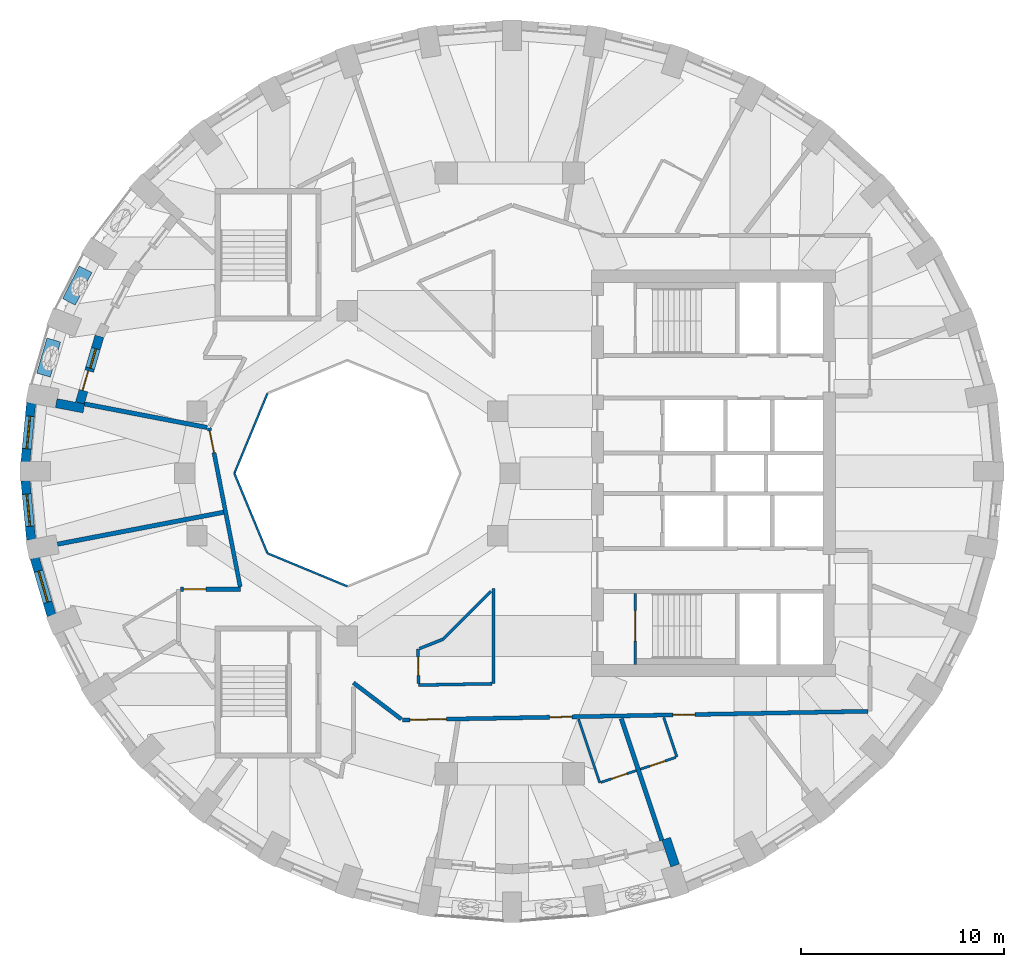
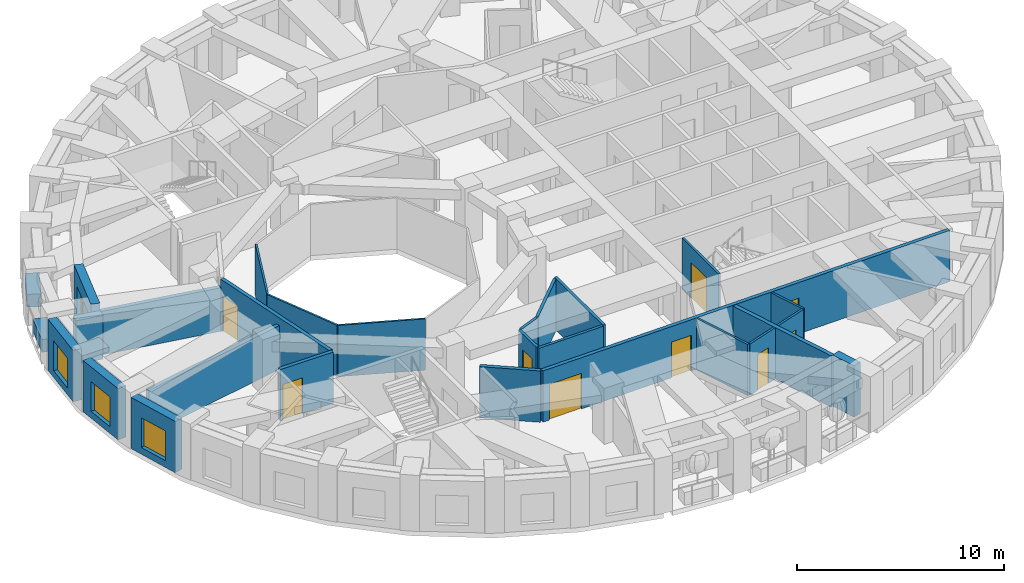
# One storey, part 4 of 11: 28 walls, 10 doors, 4 windows, 14 openings.
"""IFC4 building model written with IfcOpenShell, lengths in metres."""

from ifc_helpers import new_model, si_unit, direction, frame, frame_2d, origin, place, context, subcontext, project, spatial, rectangle, extrude, material, layer, layer_set, constituent, constituent_set, type_object, element, fill, save


model = new_model("IFC4")

# Units and contexts
model_context = context("Model", 3, precision=1e-05, world=origin(), true_north=direction((0.0, 1.0)))
body_context = subcontext(model_context, "Body", "Model", "MODEL_VIEW")
ifc_project = project(units=[si_unit("LENGTHUNIT", "METRE"), si_unit("AREAUNIT", "SQUARE_METRE"), si_unit("VOLUMEUNIT", "CUBIC_METRE"), si_unit("PLANEANGLEUNIT", "RADIAN"), si_unit("MASSUNIT", "GRAM", prefix="KILO")], contexts=[model_context])

# Site, building, storey
site_placement = place(None, origin())
site = spatial("IfcSite", under=ifc_project, at=site_placement, CompositionType="ELEMENT")
building_placement = place(site_placement, origin())
building = spatial("IfcBuilding", under=site, at=building_placement, Name="Taillehof Tower", CompositionType="ELEMENT")
storey_placement = place(building_placement, frame((0.0, 0.0, 155.0)))
storey = spatial("IfcBuildingStorey", under=building, at=storey_placement, Name="L43", CompositionType="ELEMENT", Elevation=155.0)

# Walls
ifc_material_1 = material(Name="Fire-resisting glass in steel frame", Category="steel")
ifc_layer_1 = layer(ifc_material_1, 0.10009765625)
ifc_layer_set_1 = layer_set([ifc_layer_1], Name="Atrium fire-resisting screen EI 60 100")
wall_type_1 = type_object("IfcWallType", Name="Atrium fire-resisting screen EI 60 100", PredefinedType="PARTITIONING", material=ifc_layer_set_1)
for number, where, z_axis, x_axis, name in (
    (1, (-8.0, -5.55419921875, 0.0), (0.0, 0.0, 1.0), (-0.923860025149, 0.382730523909, 0.0), "Atrium screen"),
    (2, (-11.92724609375, -3.92724609375, 0.0), (0.0, 0.0, 1.0), (-0.382730523909, 0.923860025149, 0.0), "Atrium screen"),
    (3, (-13.55419921875, 0.0, 0.0), (0.0, 0.0, 1.0), (0.382730523909, 0.923860025149, 0.0), "Atrium screen"),
):
    element("IfcWall", number, at=place(storey_placement, frame(where, z_axis=z_axis, x_axis=x_axis)), inside=storey, type_object=wall_type_1, Name=name, PredefinedType="PARTITIONING", context=body_context, shape_type="SweptSolid", body=[
        extrude(rectangle(XDim=4.2509765625, YDim=0.10009765625, at=frame_2d((2.12548828125, 0.0))), origin(), (0.0, 0.0, 1.0), 3.02001953125),
    ])

# Wall, opening, window
ifc_material_2 = material(Name="Brick masonry", Category="masonry")
ifc_layer_2 = layer(ifc_material_2, 0.449951171875)
ifc_layer_set_2 = layer_set([ifc_layer_2], Name="Brick infill wall 450")
wall_type_2 = type_object("IfcWallType", Name="Brick infill wall 450", PredefinedType="SOLIDWALL", material=ifc_layer_set_2)
wall_1_placement = place(storey_placement, frame((-23.5517578125, 3.468505859375, 0.0), z_axis=(0.0, 0.0, 1.0), x_axis=(-0.095265737322, -0.995451876935, 0.0)))
wall_1 = element("IfcWall", 4, at=wall_1_placement, inside=storey, type_object=wall_type_2, Name="Brick wall L43 bay 18", PredefinedType="SOLIDWALL", context=body_context, shape_type="SweptSolid", body=[
    extrude(rectangle(XDim=2.9267578125, YDim=0.449951171875, at=frame_2d((1.46337890625, 0.0))), origin(), (0.0, 0.0, 1.0), 3.02001953125),
])
opening_1_placement = place(wall_1_placement, frame((0.663330078125, 0.0, 0.39990234375)))
opening_1 = element("IfcOpeningElement", 5, at=opening_1_placement, cuts=wall_1, Name="Opening W3", PredefinedType="OPENING", context=body_context, shape_type="SweptSolid", body=[
    extrude(rectangle(XDim=1.60009765625, YDim=1.75, at=frame_2d((0.800048828125, 0.875))), frame((0.0, 0.23486328125, 0.0), z_axis=(0.0, -1.0, 0.0), x_axis=(1.0, 0.0, 0.0)), (0.0, 0.0, 1.0), 0.469970703125),
])
ifc_material_3 = material(Name="Aluminium window frame with clear double glazing", Category="aluminium")
window_type_1 = type_object("IfcWindowType", Name="Deep-set window 1600x1750", PartitioningType="SINGLE_PANEL", PredefinedType="WINDOW", material=ifc_material_3)
window_1_placement = place(opening_1_placement, origin())
window_1 = element("IfcWindow", 6, at=window_1_placement, inside=storey, type_object=window_type_1, Name="W3", OverallHeight=1.75, OverallWidth=1.60009765625, PartitioningType="SINGLE_PANEL", PredefinedType="WINDOW", context=body_context, shape_type="SweptSolid", body=[
    extrude(rectangle(XDim=1.60009765625, YDim=1.75, at=frame_2d((0.800048828125, 0.875))), frame((0.0, 0.034912109375, 0.0), z_axis=(0.0, -1.0, 0.0), x_axis=(1.0, 0.0, 0.0)), (0.0, 0.0, 1.0), 0.06005859375),
])
fill(opening_1, window_1)

wall_2_placement = place(storey_placement, frame((-23.83056640625, -0.35498046875, 0.0), z_axis=(0.0, 0.0, 1.0), x_axis=(0.095257827044, -0.995452633924, 0.0)))
wall_2 = element("IfcWall", 7, at=wall_2_placement, inside=storey, type_object=wall_type_2, Name="Brick wall L43 bay 19", PredefinedType="SOLIDWALL", context=body_context, shape_type="SweptSolid", body=[
    extrude(rectangle(XDim=2.927001953125, YDim=0.449951171875, at=frame_2d((1.46337890625, 0.0))), origin(), (0.0, 0.0, 1.0), 3.02001953125),
])
opening_2_placement = place(wall_2_placement, frame((0.663330078125, 0.0, 0.39990234375)))
opening_2 = element("IfcOpeningElement", 8, at=opening_2_placement, cuts=wall_2, Name="Opening W3", PredefinedType="OPENING", context=body_context, shape_type="SweptSolid", body=[
    extrude(rectangle(XDim=1.60009765625, YDim=1.75, at=frame_2d((0.800048828125, 0.875))), frame((0.0, 0.23486328125, 0.0), z_axis=(0.0, -1.0, 0.0), x_axis=(1.0, 0.0, 0.0)), (0.0, 0.0, 1.0), 0.469970703125),
])
window_2_placement = place(opening_2_placement, origin())
window_2 = element("IfcWindow", 9, at=window_2_placement, inside=storey, type_object=window_type_1, Name="W3", OverallHeight=1.75, OverallWidth=1.60009765625, PartitioningType="SINGLE_PANEL", PredefinedType="WINDOW", context=body_context, shape_type="SweptSolid", body=[
    extrude(rectangle(XDim=1.60009765625, YDim=1.75, at=frame_2d((0.800048828125, 0.875))), frame((0.0, 0.034912109375, 0.0), z_axis=(0.0, -1.0, 0.0), x_axis=(1.0, 0.0, 0.0)), (0.0, 0.0, 1.0), 0.06005859375),
])
fill(opening_2, window_2)

wall_3_placement = place(storey_placement, frame((-23.3798828125, -4.162353515625, 0.0), z_axis=(0.0, 0.0, 1.0), x_axis=(0.281125768296, -0.959670934435, 0.0)))
wall_3 = element("IfcWall", 10, at=wall_3_placement, inside=storey, type_object=wall_type_2, Name="Brick wall L43 bay 20", PredefinedType="SOLIDWALL", context=body_context, shape_type="SweptSolid", body=[
    extrude(rectangle(XDim=2.947509765625, YDim=0.449951171875, at=frame_2d((1.4736328125, 0.0))), origin(), (0.0, 0.0, 1.0), 3.02001953125),
])
opening_3_placement = place(wall_3_placement, frame((0.673583984375, 0.0, 0.39990234375)))
opening_3 = element("IfcOpeningElement", 11, at=opening_3_placement, cuts=wall_3, Name="Opening W3", PredefinedType="OPENING", context=body_context, shape_type="SweptSolid", body=[
    extrude(rectangle(XDim=1.60009765625, YDim=1.75, at=frame_2d((0.800048828125, 0.875))), frame((0.0, 0.23486328125, 0.0), z_axis=(0.0, -1.0, 0.0), x_axis=(1.0, 0.0, 0.0)), (0.0, 0.0, 1.0), 0.469970703125),
])
window_3_placement = place(opening_3_placement, origin())
window_3 = element("IfcWindow", 12, at=window_3_placement, inside=storey, type_object=window_type_1, Name="W3", OverallHeight=1.75, OverallWidth=1.60009765625, PartitioningType="SINGLE_PANEL", PredefinedType="WINDOW", context=body_context, shape_type="SweptSolid", body=[
    extrude(rectangle(XDim=1.60009765625, YDim=1.75, at=frame_2d((0.800048828125, 0.875))), frame((0.0, 0.034912109375, 0.0), z_axis=(0.0, -1.0, 0.0), x_axis=(1.0, 0.0, 0.0)), (0.0, 0.0, 1.0), 0.06005859375),
])
fill(opening_3, window_3)

# Walls
wall_4_placement = place(storey_placement, frame((8.12158203125, -19.286376953125, 0.0), z_axis=(0.0, 0.0, 1.0), x_axis=(-0.316649231286, 0.948542705589, 0.0)))
element("IfcWall", 13, at=wall_4_placement, inside=storey, type_object=wall_type_2, Name="Brick reveal L43 pocket 8", PredefinedType="SOLIDWALL", context=body_context, shape_type="SweptSolid", body=[
    extrude(rectangle(XDim=1.39013671875, YDim=0.449951171875, at=frame_2d((0.695068359375, 0.0))), origin(), (0.0, 0.0, 1.0), 3.02001953125),
])
wall_5_placement = place(storey_placement, frame((-22.321533203125, 3.45458984375, 0.0), z_axis=(0.0, 0.0, 1.0), x_axis=(0.982051513278, -0.188612897936, 0.0)))
element("IfcWall", 14, at=wall_5_placement, inside=storey, type_object=wall_type_2, Name="Brick reveal L43 pocket 4", PredefinedType="SOLIDWALL", context=body_context, shape_type="SweptSolid", body=[
    extrude(rectangle(XDim=1.39013671875, YDim=0.449951171875, at=frame_2d((0.695068359375, 0.0))), origin(), (0.0, 0.0, 1.0), 2.570068359375),
])

# Wall, openings, door, window
wall_6_placement = place(storey_placement, frame((-20.19384765625, 6.74462890625, 0.0), z_axis=(0.0, 0.0, 1.0), x_axis=(-0.280397139934, -0.959884078375, 0.0)))
wall_6 = element("IfcWall", 15, at=wall_6_placement, inside=storey, type_object=wall_type_2, Name="Brick wall L43 pocket bay 17", PredefinedType="SOLIDWALL", context=body_context, shape_type="SweptSolid", body=[
    extrude(rectangle(XDim=3.422607421875, YDim=0.449951171875, at=frame_2d((1.71142578125, 0.0))), origin(), (0.0, 0.0, 1.0), 3.02001953125),
])
opening_4_placement = place(wall_6_placement, frame((0.63623046875, 0.0, 0.39990234375)))
opening_4 = element("IfcOpeningElement", 16, at=opening_4_placement, cuts=wall_6, Name="Opening W5", PredefinedType="OPENING", context=body_context, shape_type="SweptSolid", body=[
    extrude(rectangle(XDim=1.0, YDim=1.75, at=frame_2d((0.5, 0.875))), frame((0.0, 0.23486328125, 0.0), z_axis=(0.0, -1.0, 0.0), x_axis=(1.0, 0.0, 0.0)), (0.0, 0.0, 1.0), 0.469970703125),
])
opening_5_placement = place(wall_6_placement, frame((1.786376953125, 0.0, 0.0)))
opening_5 = element("IfcOpeningElement", 17, at=opening_5_placement, cuts=wall_6, Name="Opening D4396", PredefinedType="OPENING", context=body_context, shape_type="SweptSolid", body=[
    extrude(rectangle(XDim=1.0, YDim=2.14990234375, at=frame_2d((0.5, 1.074951171875))), frame((0.0, 0.23486328125, 0.0), z_axis=(0.0, -1.0, 0.0), x_axis=(1.0, 0.0, 0.0)), (0.0, 0.0, 1.0), 0.469970703125),
])
ifc_material_4 = material(Name="Aluminium door frame with clear double glazing", Category="aluminium")
door_type_1 = type_object("IfcDoorType", Name="Balcony door 1000x2150", OperationType="SINGLE_SWING_RIGHT", PredefinedType="DOOR", material=ifc_material_4)
door_1_placement = place(opening_5_placement, frame((1.0, 0.0, 0.0), z_axis=(0.0, 0.0, 1.0), x_axis=(-1.0, 0.0, 0.0)))
door_1 = element("IfcDoor", 18, at=door_1_placement, inside=storey, type_object=door_type_1, Name="Balcony door L43 bay 17", OperationType="SINGLE_SWING_LEFT", OverallHeight=2.14990234375, OverallWidth=1.0, PredefinedType="DOOR", context=body_context, shape_type="SweptSolid", body=[
    extrude(rectangle(XDim=1.0, YDim=2.14990234375, at=frame_2d((0.5, 1.074951171875))), frame((0.0, 0.0751953125, 0.0), z_axis=(0.0, -1.0, 0.0), x_axis=(1.0, 0.0, 0.0)), (0.0, 0.0, 1.0), 0.050048828125),
])
fill(opening_5, door_1)
ifc_material_5 = material(Name="Aluminium window frame with clear double glazing", Category="aluminium")
window_type_2 = type_object("IfcWindowType", Name="Fixed window 1000x1750", PartitioningType="SINGLE_PANEL", PredefinedType="WINDOW", material=ifc_material_5)
window_4_placement = place(opening_4_placement, origin())
window_4 = element("IfcWindow", 19, at=window_4_placement, inside=storey, type_object=window_type_2, Name="W5", OverallHeight=1.75, OverallWidth=1.0, PartitioningType="SINGLE_PANEL", PredefinedType="WINDOW", context=body_context, shape_type="SweptSolid", body=[
    extrude(rectangle(XDim=1.0, YDim=1.75, at=frame_2d((0.5, 0.875))), frame((0.0, 0.034912109375, 0.0), z_axis=(0.0, -1.0, 0.0), x_axis=(1.0, 0.0, 0.0)), (0.0, 0.0, 1.0), 0.06005859375),
])
fill(opening_4, window_4)

# Wall, openings, doors
ifc_material_6 = material(Name="Gypsum board on steel studs, two layers each side", Category="steel")
ifc_layer_3 = layer(ifc_material_6, 0.199951171875)
ifc_layer_set_3 = layer_set([ifc_layer_3], Name="Compartment wall corridor 200")
wall_type_3 = type_object("IfcWallType", Name="Compartment wall corridor 200", PredefinedType="PARTITIONING", material=ifc_layer_set_3)
wall_7_placement = place(storey_placement, frame((17.599853515625, -11.702392578125, 0.0), z_axis=(0.0, 0.0, 1.0), x_axis=(-0.999825923551, -0.018658043723, 0.0)))
wall_7 = element("IfcWall", 20, at=wall_7_placement, inside=storey, type_object=wall_type_3, Name="Compartment wall", PredefinedType="PARTITIONING", context=body_context, shape_type="SweptSolid", body=[
    extrude(rectangle(XDim=22.898681640625, YDim=0.199951171875, at=frame_2d((11.44921875, 0.0))), origin(), (0.0, 0.0, 1.0), 3.02001953125),
])
opening_6_placement = place(wall_7_placement, frame((20.728759765625, 0.0, 0.0)))
opening_6 = element("IfcOpeningElement", 21, at=opening_6_placement, cuts=wall_7, Name="Opening D4351", PredefinedType="OPENING", context=body_context, shape_type="SweptSolid", body=[
    extrude(rectangle(XDim=1.800048828125, YDim=2.10009765625, at=frame_2d((0.89990234375, 1.050048828125))), frame((0.0, 0.10986328125, 0.0), z_axis=(0.0, -1.0, 0.0), x_axis=(1.0, 0.0, 0.0)), (0.0, 0.0, 1.0), 0.219970703125),
])
opening_7_placement = place(wall_7_placement, frame((14.55419921875, 0.0, 0.0)))
opening_7 = element("IfcOpeningElement", 22, at=opening_7_placement, cuts=wall_7, Name="Opening D4352", PredefinedType="OPENING", context=body_context, shape_type="SweptSolid", body=[
    extrude(rectangle(XDim=1.10009765625, YDim=2.10009765625, at=frame_2d((0.550048828125, 1.050048828125))), frame((0.0, 0.10986328125, 0.0), z_axis=(0.0, -1.0, 0.0), x_axis=(1.0, 0.0, 0.0)), (0.0, 0.0, 1.0), 0.219970703125),
])
opening_8_placement = place(wall_7_placement, frame((8.4912109375, 0.0, 0.0)))
opening_8 = element("IfcOpeningElement", 23, at=opening_8_placement, cuts=wall_7, Name="Opening D4354", PredefinedType="OPENING", context=body_context, shape_type="SweptSolid", body=[
    extrude(rectangle(XDim=1.10009765625, YDim=2.10009765625, at=frame_2d((0.550048828125, 1.050048828125))), frame((0.0, 0.10986328125, 0.0), z_axis=(0.0, -1.0, 0.0), x_axis=(1.0, 0.0, 0.0)), (0.0, 0.0, 1.0), 0.219970703125),
])
ifc_material_7 = material(Name="Timber door leaf in steel frame", Category="steel")
door_type_2 = type_object("IfcDoorType", Name="Lounge and meeting room double door EI 30 1800 x 2100", OperationType="SINGLE_SWING_LEFT", PredefinedType="DOOR", material=ifc_material_7)
door_2_placement = place(opening_6_placement, origin())
door_2 = element("IfcDoor", 24, at=door_2_placement, inside=storey, type_object=door_type_2, Name="D4351", OperationType="DOUBLE_DOOR_SINGLE_SWING", OverallHeight=2.10009765625, OverallWidth=1.800048828125, PredefinedType="DOOR", context=body_context, shape_type="SweptSolid", body=[
    extrude(rectangle(XDim=1.800048828125, YDim=2.10009765625, at=frame_2d((0.89990234375, 1.050048828125))), frame((0.0, 0.02490234375, 0.0), z_axis=(0.0, -1.0, 0.0), x_axis=(1.0, 0.0, 0.0)), (0.0, 0.0, 1.0), 0.050048828125),
])
fill(opening_6, door_2)
ifc_material_8 = material(Name="Timber door leaf in steel frame", Category="steel")
door_type_3 = type_object("IfcDoorType", Name="Suite entrance door EI 30 1100 x 2100", OperationType="SINGLE_SWING_LEFT", PredefinedType="DOOR", material=ifc_material_8)
door_3_placement = place(opening_7_placement, origin())
door_3 = element("IfcDoor", 25, at=door_3_placement, inside=storey, type_object=door_type_3, Name="D4352", OperationType="SINGLE_SWING_LEFT", OverallHeight=2.10009765625, OverallWidth=1.10009765625, PredefinedType="DOOR", context=body_context, shape_type="SweptSolid", body=[
    extrude(rectangle(XDim=1.10009765625, YDim=2.10009765625, at=frame_2d((0.550048828125, 1.050048828125))), frame((0.0, 0.02490234375, 0.0), z_axis=(0.0, -1.0, 0.0), x_axis=(1.0, 0.0, 0.0)), (0.0, 0.0, 1.0), 0.050048828125),
])
fill(opening_7, door_3)
door_4_placement = place(opening_8_placement, origin())
door_4 = element("IfcDoor", 26, at=door_4_placement, inside=storey, type_object=door_type_3, Name="D4354", OperationType="SINGLE_SWING_RIGHT", OverallHeight=2.10009765625, OverallWidth=1.10009765625, PredefinedType="DOOR", context=body_context, shape_type="SweptSolid", body=[
    extrude(rectangle(XDim=1.10009765625, YDim=2.10009765625, at=frame_2d((0.550048828125, 1.050048828125))), frame((0.0, 0.02490234375, 0.0), z_axis=(0.0, -1.0, 0.0), x_axis=(1.0, 0.0, 0.0)), (0.0, 0.0, 1.0), 0.050048828125),
])
fill(opening_8, door_4)

# Wall
wall_8_placement = place(storey_placement, frame((-5.342529296875, -12.093017578125, 0.0), z_axis=(0.0, 0.0, 1.0), x_axis=(-0.796104996328, 0.605158520407, 0.0)))
element("IfcWall", 27, at=wall_8_placement, inside=storey, type_object=wall_type_3, Name="Compartment wall", PredefinedType="PARTITIONING", context=body_context, shape_type="SweptSolid", body=[
    extrude(rectangle(XDim=2.961181640625, YDim=0.199951171875, at=frame_2d((1.48046875, 0.0))), origin(), (0.0, 0.0, 1.0), 3.02001953125),
])

# Wall, opening, door
wall_9_placement = place(storey_placement, frame((-16.199951171875, -5.699951171875, 0.0), z_axis=(0.0, 0.0, 1.0), x_axis=(1.0, 0.0, 0.0)))
wall_9 = element("IfcWall", 28, at=wall_9_placement, inside=storey, type_object=wall_type_3, Name="Compartment wall", PredefinedType="PARTITIONING", context=body_context, shape_type="SweptSolid", body=[
    extrude(rectangle(XDim=2.955322265625, YDim=0.199951171875, at=frame_2d((1.4775390625, 0.0))), origin(), (0.0, 0.0, 1.0), 3.02001953125),
])
opening_9_placement = place(wall_9_placement, frame((0.139892578125, 0.0, 0.0)))
opening_9 = element("IfcOpeningElement", 29, at=opening_9_placement, cuts=wall_9, Name="Opening D4348", PredefinedType="OPENING", context=body_context, shape_type="SweptSolid", body=[
    extrude(rectangle(XDim=1.10009765625, YDim=2.10009765625, at=frame_2d((0.550048828125, 1.050048828125))), frame((0.0, 0.10986328125, 0.0), z_axis=(0.0, -1.0, 0.0), x_axis=(1.0, 0.0, 0.0)), (0.0, 0.0, 1.0), 0.219970703125),
])
door_5_placement = place(opening_9_placement, origin())
door_5 = element("IfcDoor", 30, at=door_5_placement, inside=storey, type_object=door_type_3, Name="D4348", OperationType="SINGLE_SWING_RIGHT", OverallHeight=2.10009765625, OverallWidth=1.10009765625, PredefinedType="DOOR", context=body_context, shape_type="SweptSolid", body=[
    extrude(rectangle(XDim=1.10009765625, YDim=2.10009765625, at=frame_2d((0.550048828125, 1.050048828125))), frame((0.0, 0.02490234375, 0.0), z_axis=(0.0, -1.0, 0.0), x_axis=(1.0, 0.0, 0.0)), (0.0, 0.0, 1.0), 0.050048828125),
])
fill(opening_9, door_5)

wall_10_placement = place(storey_placement, frame((-13.26806640625, -5.582763671875, 0.0), z_axis=(0.0, 0.0, 1.0), x_axis=(-0.191747927029, 0.981444207523, 0.0)))
wall_10 = element("IfcWall", 31, at=wall_10_placement, inside=storey, type_object=wall_type_3, Name="Compartment wall", PredefinedType="PARTITIONING", context=body_context, shape_type="SweptSolid", body=[
    extrude(rectangle(XDim=7.968017578125, YDim=0.199951171875, at=frame_2d((3.98388671875, 0.0))), origin(), (0.0, 0.0, 1.0), 3.02001953125),
])
opening_10_placement = place(wall_10_placement, frame((6.72802734375, 0.0, 0.0)))
opening_10 = element("IfcOpeningElement", 32, at=opening_10_placement, cuts=wall_10, Name="Opening D4347", PredefinedType="OPENING", context=body_context, shape_type="SweptSolid", body=[
    extrude(rectangle(XDim=1.10009765625, YDim=2.10009765625, at=frame_2d((0.550048828125, 1.050048828125))), frame((0.0, 0.10986328125, 0.0), z_axis=(0.0, -1.0, 0.0), x_axis=(1.0, 0.0, 0.0)), (0.0, 0.0, 1.0), 0.219970703125),
])
door_6_placement = place(opening_10_placement, origin())
door_6 = element("IfcDoor", 33, at=door_6_placement, inside=storey, type_object=door_type_3, Name="D4347", OperationType="SINGLE_SWING_RIGHT", OverallHeight=2.10009765625, OverallWidth=1.10009765625, PredefinedType="DOOR", context=body_context, shape_type="SweptSolid", body=[
    extrude(rectangle(XDim=1.10009765625, YDim=2.10009765625, at=frame_2d((0.550048828125, 1.050048828125))), frame((0.0, 0.02490234375, 0.0), z_axis=(0.0, -1.0, 0.0), x_axis=(1.0, 0.0, 0.0)), (0.0, 0.0, 1.0), 0.050048828125),
])
fill(opening_10, door_6)

# Walls
ifc_material_9 = material(Name="Gypsum board on double steel studs with mineral wool", Category="steel")
ifc_layer_4 = layer(ifc_material_9, 0.219970703125)
ifc_layer_set_4 = layer_set([ifc_layer_4], Name="Compartment wall guest room 220")
wall_type_4 = type_object("IfcWallType", Name="Compartment wall guest room 220", PredefinedType="PARTITIONING", material=ifc_layer_set_4)
wall_11_placement = place(storey_placement, frame((-20.931640625, 3.416748046875, 0.0), z_axis=(0.0, 0.0, 1.0), x_axis=(0.9820075798, -0.188841502892, 0.0)))
element("IfcWall", 34, at=wall_11_placement, inside=storey, type_object=wall_type_4, Name="Compartment wall", PredefinedType="PARTITIONING", context=body_context, shape_type="SweptSolid", body=[
    extrude(rectangle(XDim=6.148681640625, YDim=0.219970703125, at=frame_2d((3.07421875, 0.0))), origin(), (0.0, 0.0, 1.0), 2.570068359375),
])
wall_12_placement = place(storey_placement, frame((-22.25732421875, -3.483154296875, 0.0), z_axis=(0.0, 0.0, 1.0), x_axis=(0.982022559039, 0.188763591666, 0.0)))
element("IfcWall", 35, at=wall_12_placement, inside=storey, type_object=wall_type_4, Name="Compartment wall", PredefinedType="PARTITIONING", context=body_context, shape_type="SweptSolid", body=[
    extrude(rectangle(XDim=8.3203125, YDim=0.219970703125, at=frame_2d((4.16015625, 0.0))), origin(), (0.0, 0.0, 1.0), 2.570068359375),
])
wall_13_placement = place(storey_placement, frame((7.473876953125, -18.056396484375, 0.0), z_axis=(0.0, 0.0, 1.0), x_axis=(-0.316714858998, 0.948520794759, 0.0)))
element("IfcWall", 36, at=wall_13_placement, inside=storey, type_object=wall_type_4, Name="Compartment wall", PredefinedType="PARTITIONING", context=body_context, shape_type="SweptSolid", body=[
    extrude(rectangle(XDim=6.31494140625, YDim=0.219970703125, at=frame_2d((3.157470703125, 0.0))), origin(), (0.0, 0.0, 1.0), 3.02001953125),
])
ifc_material_10 = material(Name="Gypsum board on steel studs, two layers each side", Category="steel")
ifc_layer_5 = layer(ifc_material_10, 0.14990234375)
ifc_layer_set_5 = layer_set([ifc_layer_5], Name="Compartment wall service room 150")
wall_type_5 = type_object("IfcWallType", Name="Compartment wall service room 150", PredefinedType="PARTITIONING", material=ifc_layer_set_5)
wall_14_placement = place(storey_placement, frame((-0.800048828125, -5.66943359375, 0.0), z_axis=(0.0, 0.0, 1.0), x_axis=(0.0, -1.0, 0.0)))
element("IfcWall", 37, at=wall_14_placement, inside=storey, type_object=wall_type_5, Name="Compartment wall", PredefinedType="PARTITIONING", context=body_context, shape_type="SweptSolid", body=[
    extrude(rectangle(XDim=4.67578125, YDim=0.14990234375, at=frame_2d((2.337890625, 0.0))), origin(), (0.0, 0.0, 1.0), 3.02001953125),
])
wall_15_placement = place(storey_placement, frame((-0.880126953125, -10.34716796875, 0.0), z_axis=(0.0, 0.0, 1.0), x_axis=(-0.999826791681, -0.018611465199, 0.0)))
element("IfcWall", 38, at=wall_15_placement, inside=storey, type_object=wall_type_5, Name="Compartment wall", PredefinedType="PARTITIONING", context=body_context, shape_type="SweptSolid", body=[
    extrude(rectangle(XDim=3.62060546875, YDim=0.14990234375, at=frame_2d((1.810302734375, 0.0))), origin(), (0.0, 0.0, 1.0), 3.02001953125),
])

# Wall, opening, door
wall_16_placement = place(storey_placement, frame((-4.5009765625, -10.33447265625, 0.0), z_axis=(0.0, 0.0, 1.0), x_axis=(-0.015785981736, 0.999875393627, 0.0)))
wall_16 = element("IfcWall", 39, at=wall_16_placement, inside=storey, type_object=wall_type_5, Name="Compartment wall", PredefinedType="PARTITIONING", context=body_context, shape_type="SweptSolid", body=[
    extrude(rectangle(XDim=1.685791015625, YDim=0.14990234375, at=frame_2d((0.8427734375, 0.0))), origin(), (0.0, 0.0, 1.0), 3.02001953125),
])
opening_11_placement = place(wall_16_placement, frame((0.392822265625, 0.0, 0.0)))
opening_11 = element("IfcOpeningElement", 40, at=opening_11_placement, cuts=wall_16, Name="Opening D4360", PredefinedType="OPENING", context=body_context, shape_type="SweptSolid", body=[
    extrude(rectangle(XDim=0.89990234375, YDim=2.10009765625, at=frame_2d((0.449951171875, 1.050048828125))), frame((0.0, 0.0849609375, 0.0), z_axis=(0.0, -1.0, 0.0), x_axis=(1.0, 0.0, 0.0)), (0.0, 0.0, 1.0), 0.169921875),
])
ifc_material_11 = material(Name="Timber door leaf in steel frame", Category="steel")
door_type_4 = type_object("IfcDoorType", Name="Service room door EI 30 900 x 2100", OperationType="SINGLE_SWING_LEFT", PredefinedType="DOOR", material=ifc_material_11)
door_7_placement = place(opening_11_placement, origin())
door_7 = element("IfcDoor", 41, at=door_7_placement, inside=storey, type_object=door_type_4, Name="D4360", OperationType="SINGLE_SWING_LEFT", OverallHeight=2.10009765625, OverallWidth=0.89990234375, PredefinedType="DOOR", context=body_context, shape_type="SweptSolid", body=[
    extrude(rectangle(XDim=0.89990234375, YDim=2.10009765625, at=frame_2d((0.449951171875, 1.050048828125))), frame((0.0, 0.02490234375, 0.0), z_axis=(0.0, -1.0, 0.0), x_axis=(1.0, 0.0, 0.0)), (0.0, 0.0, 1.0), 0.050048828125),
])
fill(opening_11, door_7)

# Walls
wall_17_placement = place(storey_placement, frame((-4.453369140625, -8.61962890625, 0.0), z_axis=(0.0, 0.0, 1.0), x_axis=(0.929802441214, 0.36805899026, 0.0)))
element("IfcWall", 42, at=wall_17_placement, inside=storey, type_object=wall_type_5, Name="Compartment wall", PredefinedType="PARTITIONING", context=body_context, shape_type="SweptSolid", body=[
    extrude(rectangle(XDim=1.251708984375, YDim=0.14990234375, at=frame_2d((0.6259765625, 0.0))), origin(), (0.0, 0.0, 1.0), 3.02001953125),
])
wall_18_placement = place(storey_placement, frame((-3.275390625, -8.144775390625, 0.0), z_axis=(0.0, 0.0, 1.0), x_axis=(0.707106781187, 0.707106781187, 0.0)))
element("IfcWall", 43, at=wall_18_placement, inside=storey, type_object=wall_type_5, Name="Compartment wall", PredefinedType="PARTITIONING", context=body_context, shape_type="SweptSolid", body=[
    extrude(rectangle(XDim=3.3203125, YDim=0.14990234375, at=frame_2d((1.66015625, 0.0))), origin(), (0.0, 0.0, 1.0), 3.02001953125),
])
ifc_material_12 = material(Name="Gypsum board on steel studs, moisture resistant", Category="steel")
ifc_layer_6 = layer(ifc_material_12, 0.1201171875)
ifc_layer_set_6 = layer_set([ifc_layer_6], Name="En-suite wall 120")
wall_type_6 = type_object("IfcWallType", Name="En-suite wall 120", PredefinedType="PARTITIONING", material=ifc_layer_set_6)
wall_19_placement = place(storey_placement, frame((3.3720703125, -12.0869140625, 0.0), z_axis=(0.0, 0.0, 1.0), x_axis=(0.316715775564, -0.948520488713, 0.0)))
element("IfcWall", 44, at=wall_19_placement, inside=storey, type_object=wall_type_6, Name="En-suite wall", PredefinedType="PARTITIONING", context=body_context, shape_type="SweptSolid", body=[
    extrude(rectangle(XDim=3.301513671875, YDim=0.1201171875, at=frame_2d((1.65087890625, 0.0))), origin(), (0.0, 0.0, 1.0), 3.02001953125),
])
wall_20_placement = place(storey_placement, frame((7.56298828125, -12.008544921875, 0.0), z_axis=(0.0, 0.0, 1.0), x_axis=(0.316763997654, -0.948504385752, 0.0)))
element("IfcWall", 45, at=wall_20_placement, inside=storey, type_object=wall_type_6, Name="En-suite wall", PredefinedType="PARTITIONING", context=body_context, shape_type="SweptSolid", body=[
    extrude(rectangle(XDim=2.048583984375, YDim=0.1201171875, at=frame_2d((1.0244140625, 0.0))), origin(), (0.0, 0.0, 1.0), 3.02001953125),
])

# Wall, opening, door
wall_21_placement = place(storey_placement, frame((4.474853515625, -15.199462890625, 0.0), z_axis=(0.0, 0.0, 1.0), x_axis=(0.948549784176, 0.316628026143, 0.0)))
wall_21 = element("IfcWall", 46, at=wall_21_placement, inside=storey, type_object=wall_type_6, Name="En-suite wall", PredefinedType="PARTITIONING", context=body_context, shape_type="SweptSolid", body=[
    extrude(rectangle(XDim=1.829833984375, YDim=0.1201171875, at=frame_2d((0.9150390625, 0.0))), origin(), (0.0, 0.0, 1.0), 3.02001953125),
])
opening_12_placement = place(wall_21_placement, frame((0.539794921875, 0.0, 0.0)))
opening_12 = element("IfcOpeningElement", 47, at=opening_12_placement, cuts=wall_21, Name="Opening D4353", PredefinedType="OPENING", context=body_context, shape_type="SweptSolid", body=[
    extrude(rectangle(XDim=0.800048828125, YDim=2.10009765625, at=frame_2d((0.39990234375, 1.050048828125))), frame((0.0, 0.070068359375, 0.0), z_axis=(0.0, -1.0, 0.0), x_axis=(1.0, 0.0, 0.0)), (0.0, 0.0, 1.0), 0.14013671875),
])
ifc_material_13 = material(Name="Timber door leaf in steel frame", Category="steel")
door_type_5 = type_object("IfcDoorType", Name="En-suite door 800 x 2100", OperationType="SINGLE_SWING_LEFT", PredefinedType="DOOR", material=ifc_material_13)
door_8_placement = place(opening_12_placement, origin())
door_8 = element("IfcDoor", 48, at=door_8_placement, inside=storey, type_object=door_type_5, Name="D4353", OperationType="SINGLE_SWING_LEFT", OverallHeight=2.10009765625, OverallWidth=0.800048828125, PredefinedType="DOOR", context=body_context, shape_type="SweptSolid", body=[
    extrude(rectangle(XDim=0.800048828125, YDim=2.10009765625, at=frame_2d((0.39990234375, 1.050048828125))), frame((0.0, 0.02490234375, 0.0), z_axis=(0.0, -1.0, 0.0), x_axis=(1.0, 0.0, 0.0)), (0.0, 0.0, 1.0), 0.050048828125),
])
fill(opening_12, door_8)

wall_22_placement = place(storey_placement, frame((8.155029296875, -13.970703125, 0.0), z_axis=(0.0, 0.0, 1.0), x_axis=(-0.9485230882, -0.31670799035, 0.0)))
wall_22 = element("IfcWall", 49, at=wall_22_placement, inside=storey, type_object=wall_type_6, Name="En-suite wall", PredefinedType="PARTITIONING", context=body_context, shape_type="SweptSolid", body=[
    extrude(rectangle(XDim=1.830078125, YDim=0.1201171875, at=frame_2d((0.9150390625, 0.0))), origin(), (0.0, 0.0, 1.0), 3.02001953125),
])
opening_13_placement = place(wall_22_placement, frame((0.5400390625, 0.0, 0.0)))
opening_13 = element("IfcOpeningElement", 50, at=opening_13_placement, cuts=wall_22, Name="Opening D4355", PredefinedType="OPENING", context=body_context, shape_type="SweptSolid", body=[
    extrude(rectangle(XDim=0.800048828125, YDim=2.10009765625, at=frame_2d((0.39990234375, 1.050048828125))), frame((0.0, 0.070068359375, 0.0), z_axis=(0.0, -1.0, 0.0), x_axis=(1.0, 0.0, 0.0)), (0.0, 0.0, 1.0), 0.14013671875),
])
door_9_placement = place(opening_13_placement, origin())
door_9 = element("IfcDoor", 51, at=door_9_placement, inside=storey, type_object=door_type_5, Name="D4355", OperationType="SINGLE_SWING_RIGHT", OverallHeight=2.10009765625, OverallWidth=0.800048828125, PredefinedType="DOOR", context=body_context, shape_type="SweptSolid", body=[
    extrude(rectangle(XDim=0.800048828125, YDim=2.10009765625, at=frame_2d((0.39990234375, 1.050048828125))), frame((0.0, 0.02490234375, 0.0), z_axis=(0.0, -1.0, 0.0), x_axis=(1.0, 0.0, 0.0)), (0.0, 0.0, 1.0), 0.050048828125),
])
fill(opening_13, door_9)

# Walls
ifc_material_14 = material(Name="Concrete C30/37 precast", Category="concrete")
ifc_constituent_1 = constituent(ifc_material_14, Name="Structure", Category="concrete")
ifc_material_15 = material(Name="Insulated lining")
ifc_constituent_2 = constituent(ifc_material_15, Name="Lining")
ifc_constituent_set = constituent_set(constituents=[ifc_constituent_1, ifc_constituent_2], Name="Planter trough 700x750")
wall_type_7 = type_object("IfcWallType", Name="Planter trough 700x750", PredefinedType="USERDEFINED", material=ifc_constituent_set)
wall_23_placement = place(storey_placement, frame((-20.874755859375, 10.0390625, 0.0), z_axis=(0.0, 0.0, 1.0), x_axis=(-0.454090347167, -0.890955642336, 0.0)))
element("IfcWall", 52, at=wall_23_placement, inside=storey, type_object=wall_type_7, Name="Planter L43 bay 16", ObjectType="PLANTER", PredefinedType="USERDEFINED", context=body_context, shape_type="SweptSolid", body=[
    extrude(rectangle(XDim=1.800048828125, YDim=0.699951171875, at=frame_2d((0.89990234375, 0.0))), origin(), (0.0, 0.0, 1.0), 0.75),
])
wall_24_placement = place(storey_placement, frame((-22.439208984375, 6.56005859375, 0.0), z_axis=(0.0, 0.0, 1.0), x_axis=(-0.281057212968, -0.959691014358, 0.0)))
element("IfcWall", 53, at=wall_24_placement, inside=storey, type_object=wall_type_7, Name="Planter L43 bay 17", ObjectType="PLANTER", PredefinedType="USERDEFINED", context=body_context, shape_type="SweptSolid", body=[
    extrude(rectangle(XDim=1.7998046875, YDim=0.699951171875, at=frame_2d((0.89990234375, 0.0))), origin(), (0.0, 0.0, 1.0), 0.75),
])

# Wall, opening, door
ifc_material_16 = material(Name="Concrete C50/60", Category="concrete")
ifc_layer_7 = layer(ifc_material_16, 0.1201171875)
ifc_layer_set_7 = layer_set([ifc_layer_7], Name="Stair lobby wall C50/60 120")
wall_type_8 = type_object("IfcWallType", Name="Stair lobby wall C50/60 120", PredefinedType="SHEAR", material=ifc_layer_set_7)
wall_25_placement = place(storey_placement, frame((6.159912109375, -9.39990234375, 0.0), z_axis=(0.0, 0.0, 1.0), x_axis=(0.0, 1.0, 0.0)))
wall_25 = element("IfcWall", 54, at=wall_25_placement, inside=storey, type_object=wall_type_8, Name="Compartment wall SW", PredefinedType="SHEAR", context=body_context, shape_type="SweptSolid", body=[
    extrude(rectangle(XDim=3.5, YDim=0.1201171875, at=frame_2d((1.75, 0.0))), origin(), (0.0, 0.0, 1.0), 3.02001953125),
])
opening_14_placement = place(wall_25_placement, frame((1.14990234375, 0.0, 0.0)))
opening_14 = element("IfcOpeningElement", 55, at=opening_14_placement, cuts=wall_25, Name="Opening D4311", PredefinedType="OPENING", context=body_context, shape_type="SweptSolid", body=[
    extrude(rectangle(XDim=1.5, YDim=2.10009765625, at=frame_2d((0.75, 1.050048828125))), frame((0.0, 0.070068359375, 0.0), z_axis=(0.0, -1.0, 0.0), x_axis=(1.0, 0.0, 0.0)), (0.0, 0.0, 1.0), 0.14013671875),
])
ifc_material_17 = material(Name="Steel-faced fire door", Category="steel")
door_type_6 = type_object("IfcDoorType", Name="Stair door 1500x2100", OperationType="DOUBLE_DOOR_SINGLE_SWING", PredefinedType="DOOR", material=ifc_material_17)
door_10_placement = place(opening_14_placement, origin())
door_10 = element("IfcDoor", 56, at=door_10_placement, inside=storey, type_object=door_type_6, Name="Stair lobby door S2", OperationType="DOUBLE_DOOR_SINGLE_SWING", OverallHeight=2.10009765625, OverallWidth=1.5, PredefinedType="DOOR", context=body_context, shape_type="SweptSolid", body=[
    extrude(rectangle(XDim=1.5, YDim=2.10009765625, at=frame_2d((0.75, 1.050048828125))), frame((0.0, 0.02490234375, 0.0), z_axis=(0.0, -1.0, 0.0), x_axis=(1.0, 0.0, 0.0)), (0.0, 0.0, 1.0), 0.050048828125),
])
fill(opening_14, door_10)

save(model, "model.ifc")
